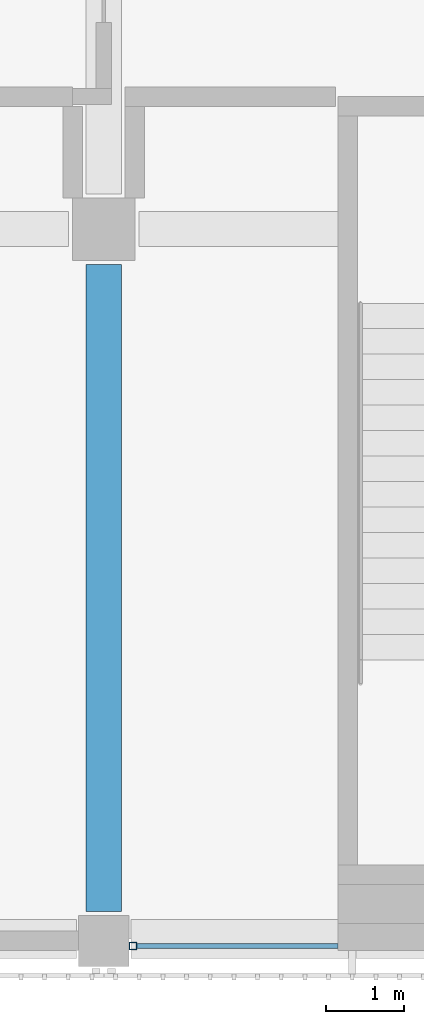
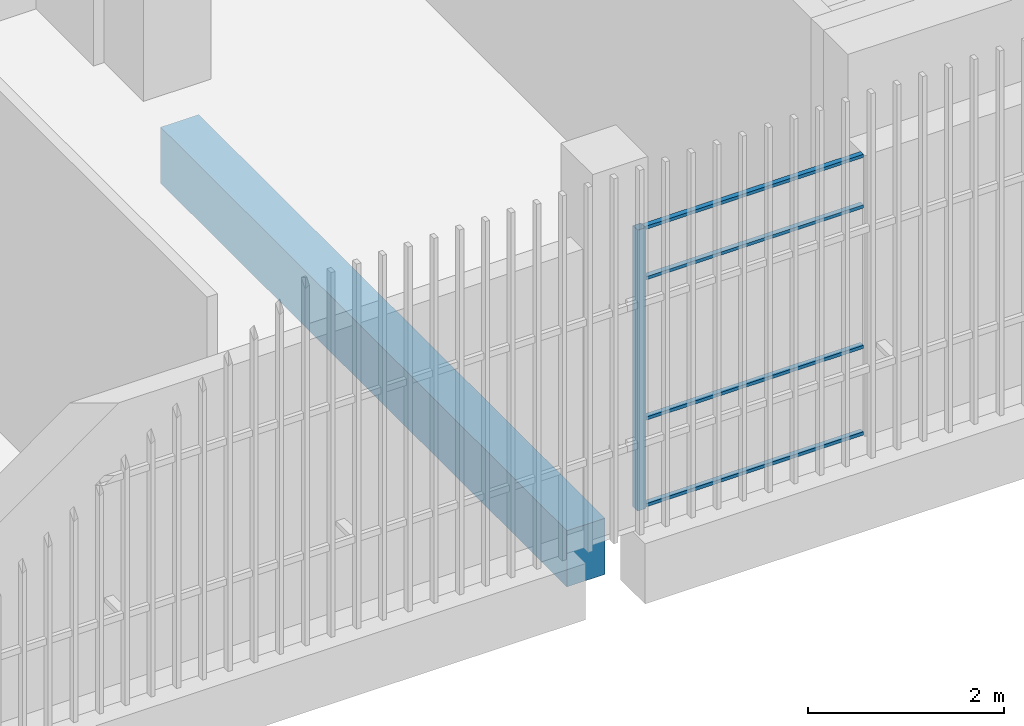
# One storey, part 23 of 126: 5 members, 1 beam, 1 element without a shape of its own.
"""IFC4 building model written with IfcOpenShell, lengths in metres."""

from ifc_helpers import new_model, si_unit, direction, frame, origin, origin_2d, place, context, subcontext, project, spatial, rectangle, hollow_rectangle, extrude, material, layer, layer_set, material_profile, profile_set, type_object, element, aggregate, save


model = new_model("IFC4")

# Units and contexts
model_context = context("Model", 3, precision=1e-05, world=origin(), true_north=direction((0.0, 1.0)))
body_context = subcontext(model_context, "Body", "Model", "MODEL_VIEW")
ifc_project = project(units=[si_unit("LENGTHUNIT", "METRE"), si_unit("AREAUNIT", "SQUARE_METRE"), si_unit("VOLUMEUNIT", "CUBIC_METRE"), si_unit("PLANEANGLEUNIT", "RADIAN"), si_unit("MASSUNIT", "GRAM", prefix="KILO")], contexts=[model_context])

# Site, building, storey
site_placement = place(None, origin())
site = spatial("IfcSite", under=ifc_project, at=site_placement, CompositionType="ELEMENT")
building_placement = place(site_placement, origin())
building = spatial("IfcBuilding", under=site, at=building_placement, Name="Shirokan Park Arena", CompositionType="ELEMENT")
storey_placement = place(building_placement, frame((0.0, 0.0, 6.3701171875)))
storey = spatial("IfcBuildingStorey", under=building, at=storey_placement, Name="L01", CompositionType="ELEMENT", Elevation=6.3701171875)

# Curtain wall, member
ifc_material_1 = material(Name="Steel and glass curtain wall", Category="steel")
ifc_layer = layer(ifc_material_1, 0.1201171875)
ifc_layer_set = layer_set([ifc_layer], Name="Steel and glass curtain wall 120 mm")
curtain_wall_type = type_object("IfcCurtainWallType", Name="Curtain wall corner block side bay 120", PredefinedType="NOTDEFINED", material=ifc_layer_set)
curtain_wall_placement = place(storey_placement, origin())
curtain_wall = element("IfcCurtainWall", 1, at=curtain_wall_placement, inside=storey, type_object=curtain_wall_type, Name="Curtain wall south bay 13 L01", PredefinedType="NOTDEFINED")
ifc_material_2 = material(Name="Steel S355", Category="steel")
ifc_material_profile_1 = material_profile(ifc_material_2, hollow_rectangle(XDim=0.10009765625, YDim=0.10009765625, WallThickness=0.006103515625, at=origin_2d()), Name="RHS 100x100x6")
ifc_profile_set_1 = profile_set([ifc_material_profile_1], Name="Steel S355")
member_type_1 = type_object("IfcMemberType", Name="Mullion RHS 100x100x6", PredefinedType="MULLION", material=ifc_profile_set_1)
member_1_placement = place(storey_placement, frame((109.574951171875, -0.090087890625, 0.0), z_axis=(0.0, 0.0, 1.0), x_axis=(0.0, 1.0, 0.0)))
member_1 = element("IfcMember", 2, at=member_1_placement, type_object=member_type_1, Name="CW3 mullion 1", PredefinedType="MULLION", context=body_context, shape_type="SweptSolid", body=[
    extrude(hollow_rectangle(XDim=0.10009765625, YDim=0.10009765625, WallThickness=0.006103515625, at=origin_2d()), origin(), (0.0, 0.0, 1.0), 3.5),
])

# Beam
ifc_material_3 = material(Name="Concrete C35", Category="concrete")
ifc_material_profile_2 = material_profile(ifc_material_3, rectangle(XDim=0.449951171875, YDim=0.699951171875, at=origin_2d()), Name="450x700")
ifc_profile_set_2 = profile_set([ifc_material_profile_2], Name="Concrete C35")
beam_type = type_object("IfcBeamType", Name="RC girder 450x700", PredefinedType="BEAM", material=ifc_profile_set_2)
beam_placement = place(storey_placement, frame((109.199951171875, 0.35009765625, -0.7001953125), z_axis=(0.0, 1.0, 0.0), x_axis=(-1.0, 0.0, 0.0)))
element("IfcBeam", 3, at=beam_placement, inside=storey, type_object=beam_type, Name="Girder 13A-13B L01", PredefinedType="BEAM", context=body_context, shape_type="SweptSolid", body=[
    extrude(rectangle(XDim=0.449951171875, YDim=0.699951171875, at=origin_2d()), origin(), (0.0, 0.0, 1.0), 8.2998046875),
])

# Member
ifc_material_profile_3 = material_profile(ifc_material_2, hollow_rectangle(XDim=0.06005859375, YDim=0.0400390625, WallThickness=0.00390625, at=origin_2d()), Name="RHS 60x40x4")
ifc_profile_set_3 = profile_set([ifc_material_profile_3], Name="Steel S355")
member_type_2 = type_object("IfcMemberType", Name="Transom RHS 60x40x4", PredefinedType="MULLION", material=ifc_profile_set_3)
member_2_placement = place(storey_placement, frame((109.625, -0.090087890625, 0.019775390625), z_axis=(1.0, 0.0, 0.0), x_axis=(0.0, 1.0, 0.0)))
member_2 = element("IfcMember", 4, at=member_2_placement, type_object=member_type_2, Name="CW3 transom 1.1", PredefinedType="MULLION", context=body_context, shape_type="SweptSolid", body=[
    extrude(hollow_rectangle(XDim=0.06005859375, YDim=0.0400390625, WallThickness=0.00390625, at=origin_2d()), origin(), (0.0, 0.0, 1.0), 2.574951171875),
])

member_3_placement = place(storey_placement, frame((109.625, -0.090087890625, 1.099853515625), z_axis=(1.0, 0.0, 0.0), x_axis=(0.0, 1.0, 0.0)))
member_3 = element("IfcMember", 5, at=member_3_placement, type_object=member_type_2, Name="CW3 transom 1.2", PredefinedType="MULLION", context=body_context, shape_type="SweptSolid", body=[
    extrude(hollow_rectangle(XDim=0.06005859375, YDim=0.0400390625, WallThickness=0.00390625, at=origin_2d()), origin(), (0.0, 0.0, 1.0), 2.574951171875),
])

member_4_placement = place(storey_placement, frame((109.625, -0.090087890625, 2.849853515625), z_axis=(1.0, 0.0, 0.0), x_axis=(0.0, 1.0, 0.0)))
member_4 = element("IfcMember", 6, at=member_4_placement, type_object=member_type_2, Name="CW3 transom 1.3", PredefinedType="MULLION", context=body_context, shape_type="SweptSolid", body=[
    extrude(hollow_rectangle(XDim=0.06005859375, YDim=0.0400390625, WallThickness=0.00390625, at=origin_2d()), origin(), (0.0, 0.0, 1.0), 2.574951171875),
])

member_5_placement = place(storey_placement, frame((109.625, -0.090087890625, 3.47998046875), z_axis=(1.0, 0.0, 0.0), x_axis=(0.0, 1.0, 0.0)))
member_5 = element("IfcMember", 7, at=member_5_placement, type_object=member_type_2, Name="CW3 transom 1.4", PredefinedType="MULLION", context=body_context, shape_type="SweptSolid", body=[
    extrude(hollow_rectangle(XDim=0.06005859375, YDim=0.0400390625, WallThickness=0.00390625, at=origin_2d()), origin(), (0.0, 0.0, 1.0), 2.574951171875),
])

aggregate(curtain_wall, [member_1, member_2, member_3, member_4, member_5])

save(model, "model.ifc")
